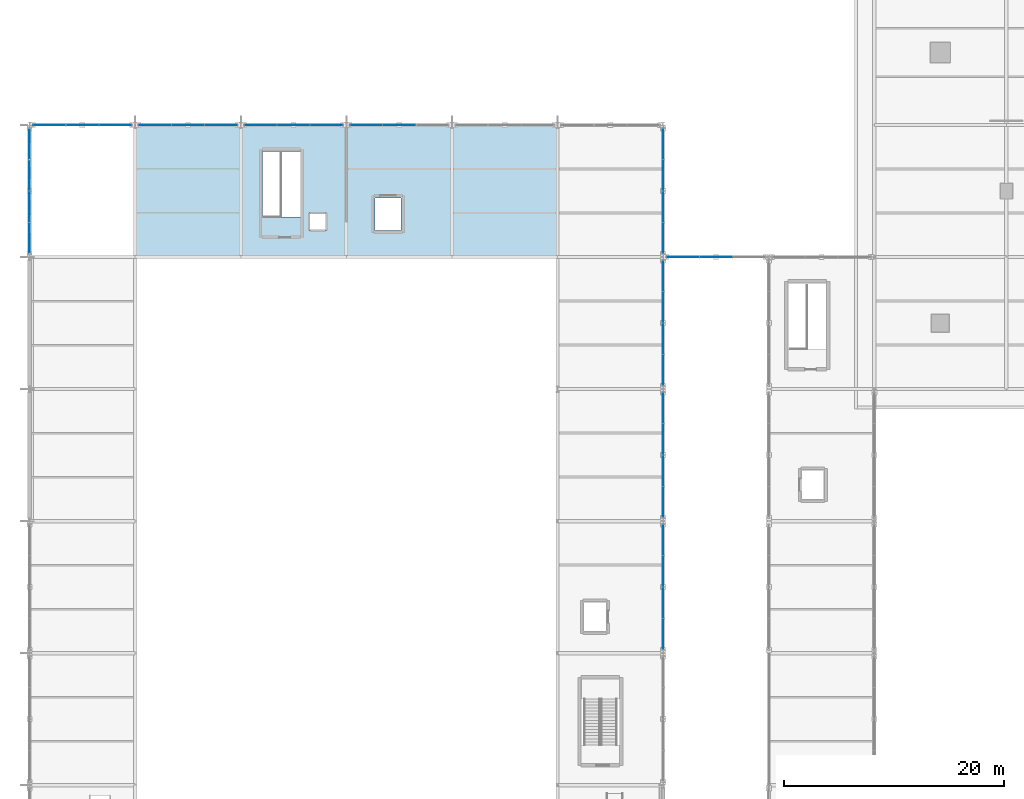
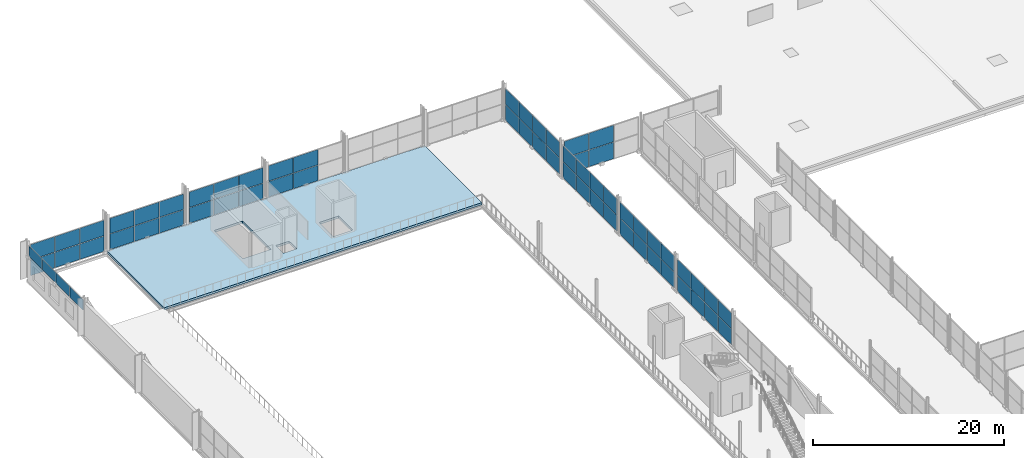
# One storey, part 123 of 159: 62 plates, 1 slab, 10 elements without a shape of their own.
"""IFC4 building model written with IfcOpenShell, lengths in metres."""

from ifc_helpers import new_model, si_unit, direction, frame, origin, origin_2d, place, context, subcontext, project, spatial, polyline, rectangle, outline, extrude, material, layer, layer_set, type_object, element, aggregate, save


model = new_model("IFC4")

# Units and contexts
model_context = context("Model", 3, precision=1e-05, world=origin(), true_north=direction((0.0, 1.0)))
body_context = subcontext(model_context, "Body", "Model", "MODEL_VIEW")
ifc_project = project(units=[si_unit("LENGTHUNIT", "METRE"), si_unit("AREAUNIT", "SQUARE_METRE"), si_unit("VOLUMEUNIT", "CUBIC_METRE"), si_unit("PLANEANGLEUNIT", "RADIAN"), si_unit("MASSUNIT", "GRAM", prefix="KILO")], contexts=[model_context])

# Site, building, storey
site_placement = place(None, origin())
site = spatial("IfcSite", under=ifc_project, at=site_placement, CompositionType="ELEMENT")
building_placement = place(site_placement, origin())
building = spatial("IfcBuilding", under=site, at=building_placement, Name="Merenkruunu Market Hall", CompositionType="ELEMENT")
storey_placement = place(building_placement, frame((0.0, 0.0, 5.39990234375)))
storey = spatial("IfcBuildingStorey", under=building, at=storey_placement, Name="L01", CompositionType="ELEMENT", Elevation=5.39990234375)

# Curtain wall, plates
ifc_material_1 = material(Name="Powder-coated aluminium", Category="aluminium")
curtain_wall_type_1 = type_object("IfcCurtainWallType", Name="Glazed Curtain Wall CW03", PredefinedType="USERDEFINED", material=ifc_material_1)
curtain_wall_1_placement = place(storey_placement, origin())
curtain_wall_1 = element("IfcCurtainWall", 1, at=curtain_wall_1_placement, inside=storey, type_object=curtain_wall_type_1, Name="CW-L01-CWM03-143", ObjectType="GLAZED_FACADE", PredefinedType="USERDEFINED")
ifc_material_2 = material(Name="Triple low-E insulated glass", Category="glass")
ifc_layer_1 = layer(ifc_material_2, 0.035888671875)
ifc_layer_set_1 = layer_set([ifc_layer_1], Name="Triple low-E insulated glass")
plate_type_1 = type_object("IfcPlateType", Name="Curtain Wall Glazing Panel CWP01", PredefinedType="CURTAIN_PANEL", material=ifc_layer_set_1)
plate_1_placement = place(storey_placement, frame((59.401611328125, 99.60009765625, 0.06005859375), z_axis=(0.0, 0.0, 1.0), x_axis=(1.0, 0.0, 0.0)))
plate_1 = element("IfcPlate", 2, at=plate_1_placement, type_object=plate_type_1, Name="CW03 panel 1.1", PredefinedType="CURTAIN_PANEL", context=body_context, shape_type="SweptSolid", body=[
    extrude(rectangle(XDim=2.92333984375, YDim=0.035888671875, at=origin_2d()), origin(), (0.0, 0.0, 1.0), 2.110107421875),
])
plate_2_placement = place(storey_placement, frame((59.401611328125, 99.60009765625, 2.22998046875), z_axis=(0.0, 0.0, 1.0), x_axis=(1.0, 0.0, 0.0)))
plate_2 = element("IfcPlate", 3, at=plate_2_placement, type_object=plate_type_1, Name="CW03 panel 1.2", PredefinedType="CURTAIN_PANEL", context=body_context, shape_type="SweptSolid", body=[
    extrude(rectangle(XDim=2.92333984375, YDim=0.035888671875, at=origin_2d()), origin(), (0.0, 0.0, 1.0), 2.110107421875),
])
plate_3_placement = place(storey_placement, frame((62.39990234375, 99.60009765625, 0.06005859375), z_axis=(0.0, 0.0, 1.0), x_axis=(1.0, 0.0, 0.0)))
plate_3 = element("IfcPlate", 4, at=plate_3_placement, type_object=plate_type_1, Name="CW03 panel 2.1", PredefinedType="CURTAIN_PANEL", context=body_context, shape_type="SweptSolid", body=[
    extrude(rectangle(XDim=2.953369140625, YDim=0.035888671875, at=origin_2d()), origin(), (0.0, 0.0, 1.0), 2.110107421875),
])
plate_4_placement = place(storey_placement, frame((62.39990234375, 99.60009765625, 2.22998046875), z_axis=(0.0, 0.0, 1.0), x_axis=(1.0, 0.0, 0.0)))
plate_4 = element("IfcPlate", 5, at=plate_4_placement, type_object=plate_type_1, Name="CW03 panel 2.2", PredefinedType="CURTAIN_PANEL", context=body_context, shape_type="SweptSolid", body=[
    extrude(rectangle(XDim=2.953369140625, YDim=0.035888671875, at=origin_2d()), origin(), (0.0, 0.0, 1.0), 2.110107421875),
])
aggregate(curtain_wall_1, [plate_1, plate_2, plate_3, plate_4])

curtain_wall_type_2 = type_object("IfcCurtainWallType", Name="Glazed Curtain Wall CW09", PredefinedType="USERDEFINED", material=ifc_material_1)
curtain_wall_2_placement = place(storey_placement, origin())
curtain_wall_2 = element("IfcCurtainWall", 6, at=curtain_wall_2_placement, inside=storey, type_object=curtain_wall_type_2, Name="CW-L01-CWM02-052", ObjectType="GLAZED_FACADE", PredefinedType="USERDEFINED")
ifc_layer_2 = layer(ifc_material_2, 0.035888671875)
ifc_layer_set_2 = layer_set([ifc_layer_2], Name="Triple low-E insulated glass")
plate_type_2 = type_object("IfcPlateType", Name="Curtain Wall Glazing Panel CWP02", PredefinedType="CURTAIN_PANEL", material=ifc_layer_set_2)
plate_5_placement = place(storey_placement, frame((1.8017578125, 111.60009765625, 0.06005859375), z_axis=(0.0, 0.0, 1.0), x_axis=(1.0, 0.0, 0.0)))
plate_5 = element("IfcPlate", 7, at=plate_5_placement, type_object=plate_type_2, Name="CW09 panel 1.1", PredefinedType="CURTAIN_PANEL", context=body_context, shape_type="SweptSolid", body=[
    extrude(rectangle(XDim=2.92333984375, YDim=0.035888671875, at=origin_2d()), origin(), (0.0, 0.0, 1.0), 1.9599609375),
])
plate_6_placement = place(storey_placement, frame((1.8017578125, 111.60009765625, 2.080078125), z_axis=(0.0, 0.0, 1.0), x_axis=(1.0, 0.0, 0.0)))
plate_6 = element("IfcPlate", 8, at=plate_6_placement, type_object=plate_type_2, Name="CW09 panel 1.2", PredefinedType="CURTAIN_PANEL", context=body_context, shape_type="SweptSolid", body=[
    extrude(rectangle(XDim=2.92333984375, YDim=0.035888671875, at=origin_2d()), origin(), (0.0, 0.0, 1.0), 1.9599609375),
])
plate_7_placement = place(storey_placement, frame((4.800048828125, 111.60009765625, 0.06005859375), z_axis=(0.0, 0.0, 1.0), x_axis=(1.0, 0.0, 0.0)))
plate_7 = element("IfcPlate", 9, at=plate_7_placement, type_object=plate_type_2, Name="CW09 panel 2.1", PredefinedType="CURTAIN_PANEL", context=body_context, shape_type="SweptSolid", body=[
    extrude(rectangle(XDim=2.953369140625, YDim=0.035888671875, at=origin_2d()), origin(), (0.0, 0.0, 1.0), 1.9599609375),
])
plate_8_placement = place(storey_placement, frame((4.800048828125, 111.60009765625, 2.080078125), z_axis=(0.0, 0.0, 1.0), x_axis=(1.0, 0.0, 0.0)))
plate_8 = element("IfcPlate", 10, at=plate_8_placement, type_object=plate_type_2, Name="CW09 panel 2.2", PredefinedType="CURTAIN_PANEL", context=body_context, shape_type="SweptSolid", body=[
    extrude(rectangle(XDim=2.953369140625, YDim=0.035888671875, at=origin_2d()), origin(), (0.0, 0.0, 1.0), 1.9599609375),
])
plate_9_placement = place(storey_placement, frame((7.79833984375, 111.60009765625, 0.06005859375), z_axis=(0.0, 0.0, 1.0), x_axis=(1.0, 0.0, 0.0)))
plate_9 = element("IfcPlate", 11, at=plate_9_placement, type_object=plate_type_2, Name="CW09 panel 3.1", PredefinedType="CURTAIN_PANEL", context=body_context, shape_type="SweptSolid", body=[
    extrude(rectangle(XDim=2.92333984375, YDim=0.035888671875, at=origin_2d()), origin(), (0.0, 0.0, 1.0), 1.9599609375),
])
plate_10_placement = place(storey_placement, frame((7.79833984375, 111.60009765625, 2.080078125), z_axis=(0.0, 0.0, 1.0), x_axis=(1.0, 0.0, 0.0)))
plate_10 = element("IfcPlate", 12, at=plate_10_placement, type_object=plate_type_2, Name="CW09 panel 3.2", PredefinedType="CURTAIN_PANEL", context=body_context, shape_type="SweptSolid", body=[
    extrude(rectangle(XDim=2.92333984375, YDim=0.035888671875, at=origin_2d()), origin(), (0.0, 0.0, 1.0), 1.9599609375),
])
aggregate(curtain_wall_2, [plate_5, plate_6, plate_7, plate_8, plate_9, plate_10])

curtain_wall_3_placement = place(storey_placement, origin())
curtain_wall_3 = element("IfcCurtainWall", 13, at=curtain_wall_3_placement, inside=storey, type_object=curtain_wall_type_2, Name="CW-L01-CWM02-054", ObjectType="GLAZED_FACADE", PredefinedType="USERDEFINED")
plate_11_placement = place(storey_placement, frame((11.401611328125, 111.60009765625, 0.06005859375), z_axis=(0.0, 0.0, 1.0), x_axis=(1.0, 0.0, 0.0)))
plate_11 = element("IfcPlate", 14, at=plate_11_placement, type_object=plate_type_2, Name="CW09 panel 1.1", PredefinedType="CURTAIN_PANEL", context=body_context, shape_type="SweptSolid", body=[
    extrude(rectangle(XDim=2.92333984375, YDim=0.035888671875, at=origin_2d()), origin(), (0.0, 0.0, 1.0), 1.9599609375),
])
plate_12_placement = place(storey_placement, frame((11.401611328125, 111.60009765625, 2.080078125), z_axis=(0.0, 0.0, 1.0), x_axis=(1.0, 0.0, 0.0)))
plate_12 = element("IfcPlate", 15, at=plate_12_placement, type_object=plate_type_2, Name="CW09 panel 1.2", PredefinedType="CURTAIN_PANEL", context=body_context, shape_type="SweptSolid", body=[
    extrude(rectangle(XDim=2.92333984375, YDim=0.035888671875, at=origin_2d()), origin(), (0.0, 0.0, 1.0), 1.9599609375),
])
plate_13_placement = place(storey_placement, frame((14.39990234375, 111.60009765625, 0.06005859375), z_axis=(0.0, 0.0, 1.0), x_axis=(1.0, 0.0, 0.0)))
plate_13 = element("IfcPlate", 16, at=plate_13_placement, type_object=plate_type_2, Name="CW09 panel 2.1", PredefinedType="CURTAIN_PANEL", context=body_context, shape_type="SweptSolid", body=[
    extrude(rectangle(XDim=2.953369140625, YDim=0.035888671875, at=origin_2d()), origin(), (0.0, 0.0, 1.0), 1.9599609375),
])
plate_14_placement = place(storey_placement, frame((14.39990234375, 111.60009765625, 2.080078125), z_axis=(0.0, 0.0, 1.0), x_axis=(1.0, 0.0, 0.0)))
plate_14 = element("IfcPlate", 17, at=plate_14_placement, type_object=plate_type_2, Name="CW09 panel 2.2", PredefinedType="CURTAIN_PANEL", context=body_context, shape_type="SweptSolid", body=[
    extrude(rectangle(XDim=2.953369140625, YDim=0.035888671875, at=origin_2d()), origin(), (0.0, 0.0, 1.0), 1.9599609375),
])
plate_15_placement = place(storey_placement, frame((17.3984375, 111.60009765625, 0.06005859375), z_axis=(0.0, 0.0, 1.0), x_axis=(1.0, 0.0, 0.0)))
plate_15 = element("IfcPlate", 18, at=plate_15_placement, type_object=plate_type_2, Name="CW09 panel 3.1", PredefinedType="CURTAIN_PANEL", context=body_context, shape_type="SweptSolid", body=[
    extrude(rectangle(XDim=2.92333984375, YDim=0.035888671875, at=origin_2d()), origin(), (0.0, 0.0, 1.0), 1.9599609375),
])
plate_16_placement = place(storey_placement, frame((17.3984375, 111.60009765625, 2.080078125), z_axis=(0.0, 0.0, 1.0), x_axis=(1.0, 0.0, 0.0)))
plate_16 = element("IfcPlate", 19, at=plate_16_placement, type_object=plate_type_2, Name="CW09 panel 3.2", PredefinedType="CURTAIN_PANEL", context=body_context, shape_type="SweptSolid", body=[
    extrude(rectangle(XDim=2.92333984375, YDim=0.035888671875, at=origin_2d()), origin(), (0.0, 0.0, 1.0), 1.9599609375),
])
aggregate(curtain_wall_3, [plate_11, plate_12, plate_13, plate_14, plate_15, plate_16])

curtain_wall_4_placement = place(storey_placement, origin())
curtain_wall_4 = element("IfcCurtainWall", 20, at=curtain_wall_4_placement, inside=storey, type_object=curtain_wall_type_2, Name="CW-L01-CWM02-057", ObjectType="GLAZED_FACADE", PredefinedType="USERDEFINED")
plate_17_placement = place(storey_placement, frame((21.001708984375, 111.60009765625, 0.06005859375), z_axis=(0.0, 0.0, 1.0), x_axis=(1.0, 0.0, 0.0)))
plate_17 = element("IfcPlate", 21, at=plate_17_placement, type_object=plate_type_2, Name="CW09 panel 1.1", PredefinedType="CURTAIN_PANEL", context=body_context, shape_type="SweptSolid", body=[
    extrude(rectangle(XDim=2.92333984375, YDim=0.035888671875, at=origin_2d()), origin(), (0.0, 0.0, 1.0), 1.9599609375),
])
plate_18_placement = place(storey_placement, frame((21.001708984375, 111.60009765625, 2.080078125), z_axis=(0.0, 0.0, 1.0), x_axis=(1.0, 0.0, 0.0)))
plate_18 = element("IfcPlate", 22, at=plate_18_placement, type_object=plate_type_2, Name="CW09 panel 1.2", PredefinedType="CURTAIN_PANEL", context=body_context, shape_type="SweptSolid", body=[
    extrude(rectangle(XDim=2.92333984375, YDim=0.035888671875, at=origin_2d()), origin(), (0.0, 0.0, 1.0), 1.9599609375),
])
plate_19_placement = place(storey_placement, frame((24.0, 111.60009765625, 0.06005859375), z_axis=(0.0, 0.0, 1.0), x_axis=(1.0, 0.0, 0.0)))
plate_19 = element("IfcPlate", 23, at=plate_19_placement, type_object=plate_type_2, Name="CW09 panel 2.1", PredefinedType="CURTAIN_PANEL", context=body_context, shape_type="SweptSolid", body=[
    extrude(rectangle(XDim=2.953369140625, YDim=0.035888671875, at=origin_2d()), origin(), (0.0, 0.0, 1.0), 1.9599609375),
])
plate_20_placement = place(storey_placement, frame((24.0, 111.60009765625, 2.080078125), z_axis=(0.0, 0.0, 1.0), x_axis=(1.0, 0.0, 0.0)))
plate_20 = element("IfcPlate", 24, at=plate_20_placement, type_object=plate_type_2, Name="CW09 panel 2.2", PredefinedType="CURTAIN_PANEL", context=body_context, shape_type="SweptSolid", body=[
    extrude(rectangle(XDim=2.953369140625, YDim=0.035888671875, at=origin_2d()), origin(), (0.0, 0.0, 1.0), 1.9599609375),
])
plate_21_placement = place(storey_placement, frame((26.998291015625, 111.60009765625, 0.06005859375), z_axis=(0.0, 0.0, 1.0), x_axis=(1.0, 0.0, 0.0)))
plate_21 = element("IfcPlate", 25, at=plate_21_placement, type_object=plate_type_2, Name="CW09 panel 3.1", PredefinedType="CURTAIN_PANEL", context=body_context, shape_type="SweptSolid", body=[
    extrude(rectangle(XDim=2.92333984375, YDim=0.035888671875, at=origin_2d()), origin(), (0.0, 0.0, 1.0), 1.9599609375),
])
plate_22_placement = place(storey_placement, frame((26.998291015625, 111.60009765625, 2.080078125), z_axis=(0.0, 0.0, 1.0), x_axis=(1.0, 0.0, 0.0)))
plate_22 = element("IfcPlate", 26, at=plate_22_placement, type_object=plate_type_2, Name="CW09 panel 3.2", PredefinedType="CURTAIN_PANEL", context=body_context, shape_type="SweptSolid", body=[
    extrude(rectangle(XDim=2.92333984375, YDim=0.035888671875, at=origin_2d()), origin(), (0.0, 0.0, 1.0), 1.9599609375),
])
aggregate(curtain_wall_4, [plate_17, plate_18, plate_19, plate_20, plate_21, plate_22])

curtain_wall_5_placement = place(storey_placement, origin())
curtain_wall_5 = element("IfcCurtainWall", 27, at=curtain_wall_5_placement, inside=storey, type_object=curtain_wall_type_2, Name="CW-L01-CWM02-060", ObjectType="GLAZED_FACADE", PredefinedType="USERDEFINED")
plate_23_placement = place(storey_placement, frame((30.6015625, 111.60009765625, 0.06005859375), z_axis=(0.0, 0.0, 1.0), x_axis=(1.0, 0.0, 0.0)))
plate_23 = element("IfcPlate", 28, at=plate_23_placement, type_object=plate_type_2, Name="CW09 panel 1.1", PredefinedType="CURTAIN_PANEL", context=body_context, shape_type="SweptSolid", body=[
    extrude(rectangle(XDim=2.92333984375, YDim=0.035888671875, at=origin_2d()), origin(), (0.0, 0.0, 1.0), 1.9599609375),
])
plate_24_placement = place(storey_placement, frame((30.6015625, 111.60009765625, 2.080078125), z_axis=(0.0, 0.0, 1.0), x_axis=(1.0, 0.0, 0.0)))
plate_24 = element("IfcPlate", 29, at=plate_24_placement, type_object=plate_type_2, Name="CW09 panel 1.2", PredefinedType="CURTAIN_PANEL", context=body_context, shape_type="SweptSolid", body=[
    extrude(rectangle(XDim=2.92333984375, YDim=0.035888671875, at=origin_2d()), origin(), (0.0, 0.0, 1.0), 1.9599609375),
])
plate_25_placement = place(storey_placement, frame((33.60009765625, 111.60009765625, 0.06005859375), z_axis=(0.0, 0.0, 1.0), x_axis=(1.0, 0.0, 0.0)))
plate_25 = element("IfcPlate", 30, at=plate_25_placement, type_object=plate_type_2, Name="CW09 panel 2.1", PredefinedType="CURTAIN_PANEL", context=body_context, shape_type="SweptSolid", body=[
    extrude(rectangle(XDim=2.953369140625, YDim=0.035888671875, at=origin_2d()), origin(), (0.0, 0.0, 1.0), 1.9599609375),
])
plate_26_placement = place(storey_placement, frame((33.60009765625, 111.60009765625, 2.080078125), z_axis=(0.0, 0.0, 1.0), x_axis=(1.0, 0.0, 0.0)))
plate_26 = element("IfcPlate", 31, at=plate_26_placement, type_object=plate_type_2, Name="CW09 panel 2.2", PredefinedType="CURTAIN_PANEL", context=body_context, shape_type="SweptSolid", body=[
    extrude(rectangle(XDim=2.953369140625, YDim=0.035888671875, at=origin_2d()), origin(), (0.0, 0.0, 1.0), 1.9599609375),
])
aggregate(curtain_wall_5, [plate_23, plate_24, plate_25, plate_26])

curtain_wall_type_3 = type_object("IfcCurtainWallType", Name="Glazed Curtain Wall CW05", PredefinedType="USERDEFINED", material=ifc_material_1)
curtain_wall_6_placement = place(storey_placement, origin())
curtain_wall_6 = element("IfcCurtainWall", 32, at=curtain_wall_6_placement, inside=storey, type_object=curtain_wall_type_3, Name="CW-L01-CWM01-137", ObjectType="GLAZED_FACADE", PredefinedType="USERDEFINED")
ifc_layer_3 = layer(ifc_material_2, 0.0380859375)
ifc_layer_set_3 = layer_set([ifc_layer_3], Name="Triple low-E insulated glass")
plate_type_3 = type_object("IfcPlateType", Name="Curtain Wall Glazing Panel CWP03", PredefinedType="CURTAIN_PANEL", material=ifc_layer_set_3)
plate_27_placement = place(storey_placement, frame((57.60009765625, 109.875, 0.06005859375), z_axis=(0.0, 0.0, 1.0), x_axis=(0.0, -1.0, 0.0)))
plate_27 = element("IfcPlate", 33, at=plate_27_placement, type_object=plate_type_3, Name="CW05 panel 1.1", PredefinedType="CURTAIN_PANEL", context=body_context, shape_type="SweptSolid", body=[
    extrude(rectangle(XDim=2.77001953125, YDim=0.0380859375, at=origin_2d()), origin(), (0.0, 0.0, 1.0), 2.010009765625),
])
plate_28_placement = place(storey_placement, frame((57.60009765625, 109.875, 2.1298828125), z_axis=(0.0, 0.0, 1.0), x_axis=(0.0, -1.0, 0.0)))
plate_28 = element("IfcPlate", 34, at=plate_28_placement, type_object=plate_type_3, Name="CW05 panel 1.2", PredefinedType="CURTAIN_PANEL", context=body_context, shape_type="SweptSolid", body=[
    extrude(rectangle(XDim=2.77001953125, YDim=0.0380859375, at=origin_2d()), origin(), (0.0, 0.0, 1.0), 2.010009765625),
])
plate_29_placement = place(storey_placement, frame((57.60009765625, 107.030029296875, 0.06005859375), z_axis=(0.0, 0.0, 1.0), x_axis=(0.0, -1.0, 0.0)))
plate_29 = element("IfcPlate", 35, at=plate_29_placement, type_object=plate_type_3, Name="CW05 panel 2.1", PredefinedType="CURTAIN_PANEL", context=body_context, shape_type="SweptSolid", body=[
    extrude(rectangle(XDim=2.800048828125, YDim=0.0380859375, at=origin_2d()), origin(), (0.0, 0.0, 1.0), 2.010009765625),
])
plate_30_placement = place(storey_placement, frame((57.60009765625, 107.030029296875, 2.1298828125), z_axis=(0.0, 0.0, 1.0), x_axis=(0.0, -1.0, 0.0)))
plate_30 = element("IfcPlate", 36, at=plate_30_placement, type_object=plate_type_3, Name="CW05 panel 2.2", PredefinedType="CURTAIN_PANEL", context=body_context, shape_type="SweptSolid", body=[
    extrude(rectangle(XDim=2.800048828125, YDim=0.0380859375, at=origin_2d()), origin(), (0.0, 0.0, 1.0), 2.010009765625),
])
plate_31_placement = place(storey_placement, frame((57.60009765625, 104.169921875, 0.06005859375), z_axis=(0.0, 0.0, 1.0), x_axis=(0.0, -1.0, 0.0)))
plate_31 = element("IfcPlate", 37, at=plate_31_placement, type_object=plate_type_3, Name="CW05 panel 3.1", PredefinedType="CURTAIN_PANEL", context=body_context, shape_type="SweptSolid", body=[
    extrude(rectangle(XDim=2.800048828125, YDim=0.0380859375, at=origin_2d()), origin(), (0.0, 0.0, 1.0), 2.010009765625),
])
plate_32_placement = place(storey_placement, frame((57.60009765625, 104.169921875, 2.1298828125), z_axis=(0.0, 0.0, 1.0), x_axis=(0.0, -1.0, 0.0)))
plate_32 = element("IfcPlate", 38, at=plate_32_placement, type_object=plate_type_3, Name="CW05 panel 3.2", PredefinedType="CURTAIN_PANEL", context=body_context, shape_type="SweptSolid", body=[
    extrude(rectangle(XDim=2.800048828125, YDim=0.0380859375, at=origin_2d()), origin(), (0.0, 0.0, 1.0), 2.010009765625),
])
plate_33_placement = place(storey_placement, frame((57.60009765625, 101.324951171875, 0.06005859375), z_axis=(0.0, 0.0, 1.0), x_axis=(0.0, -1.0, 0.0)))
plate_33 = element("IfcPlate", 39, at=plate_33_placement, type_object=plate_type_3, Name="CW05 panel 4.1", PredefinedType="CURTAIN_PANEL", context=body_context, shape_type="SweptSolid", body=[
    extrude(rectangle(XDim=2.77001953125, YDim=0.0380859375, at=origin_2d()), origin(), (0.0, 0.0, 1.0), 2.010009765625),
])
plate_34_placement = place(storey_placement, frame((57.60009765625, 101.324951171875, 2.1298828125), z_axis=(0.0, 0.0, 1.0), x_axis=(0.0, -1.0, 0.0)))
plate_34 = element("IfcPlate", 40, at=plate_34_placement, type_object=plate_type_3, Name="CW05 panel 4.2", PredefinedType="CURTAIN_PANEL", context=body_context, shape_type="SweptSolid", body=[
    extrude(rectangle(XDim=2.77001953125, YDim=0.0380859375, at=origin_2d()), origin(), (0.0, 0.0, 1.0), 2.010009765625),
])
aggregate(curtain_wall_6, [plate_27, plate_28, plate_29, plate_30, plate_31, plate_32, plate_33, plate_34])

curtain_wall_type_4 = type_object("IfcCurtainWallType", Name="Clerestory Curtain Band CL01", PredefinedType="USERDEFINED", material=ifc_material_1)
curtain_wall_7_placement = place(storey_placement, origin())
curtain_wall_7 = element("IfcCurtainWall", 41, at=curtain_wall_7_placement, inside=storey, type_object=curtain_wall_type_4, Name="CW-L01-CWM04-017", ObjectType="CLERESTORY_BAND", PredefinedType="USERDEFINED")
ifc_layer_4 = layer(ifc_material_2, 0.035888671875)
ifc_layer_set_4 = layer_set([ifc_layer_4], Name="Triple low-E insulated glass")
plate_type_4 = type_object("IfcPlateType", Name="Curtain Wall Glazing Panel CWP07", PredefinedType="CURTAIN_PANEL", material=ifc_layer_set_4)
plate_35_placement = place(storey_placement, frame((0.0, 101.327392578125, 2.860107421875), z_axis=(0.0, 0.0, 1.0), x_axis=(0.0, 1.0, 0.0)))
plate_35 = element("IfcPlate", 42, at=plate_35_placement, type_object=plate_type_4, Name="CL01 panel 1.1", PredefinedType="CURTAIN_PANEL", context=body_context, shape_type="SweptSolid", body=[
    extrude(rectangle(XDim=2.7548828125, YDim=0.035888671875, at=origin_2d()), origin(), (0.0, 0.0, 1.0), 1.330078125),
])
plate_36_placement = place(storey_placement, frame((0.0, 104.169921875, 2.860107421875), z_axis=(0.0, 0.0, 1.0), x_axis=(0.0, 1.0, 0.0)))
plate_36 = element("IfcPlate", 43, at=plate_36_placement, type_object=plate_type_4, Name="CL01 panel 2.1", PredefinedType="CURTAIN_PANEL", context=body_context, shape_type="SweptSolid", body=[
    extrude(rectangle(XDim=2.7900390625, YDim=0.035888671875, at=origin_2d()), origin(), (0.0, 0.0, 1.0), 1.330078125),
])
plate_37_placement = place(storey_placement, frame((0.0, 107.030029296875, 2.860107421875), z_axis=(0.0, 0.0, 1.0), x_axis=(0.0, 1.0, 0.0)))
plate_37 = element("IfcPlate", 44, at=plate_37_placement, type_object=plate_type_4, Name="CL01 panel 3.1", PredefinedType="CURTAIN_PANEL", context=body_context, shape_type="SweptSolid", body=[
    extrude(rectangle(XDim=2.7900390625, YDim=0.035888671875, at=origin_2d()), origin(), (0.0, 0.0, 1.0), 1.330078125),
])
plate_38_placement = place(storey_placement, frame((0.0, 109.87255859375, 2.860107421875), z_axis=(0.0, 0.0, 1.0), x_axis=(0.0, 1.0, 0.0)))
plate_38 = element("IfcPlate", 45, at=plate_38_placement, type_object=plate_type_4, Name="CL01 panel 4.1", PredefinedType="CURTAIN_PANEL", context=body_context, shape_type="SweptSolid", body=[
    extrude(rectangle(XDim=2.7548828125, YDim=0.035888671875, at=origin_2d()), origin(), (0.0, 0.0, 1.0), 1.330078125),
])
aggregate(curtain_wall_7, [plate_35, plate_36, plate_37, plate_38])

curtain_wall_type_5 = type_object("IfcCurtainWallType", Name="Glazed Curtain Wall CW15", PredefinedType="USERDEFINED", material=ifc_material_1)
curtain_wall_8_placement = place(storey_placement, origin())
curtain_wall_8 = element("IfcCurtainWall", 46, at=curtain_wall_8_placement, inside=storey, type_object=curtain_wall_type_5, Name="CW-L01-CWM01-131", ObjectType="GLAZED_FACADE", PredefinedType="USERDEFINED")
ifc_layer_5 = layer(ifc_material_2, 0.035888671875)
ifc_layer_set_5 = layer_set([ifc_layer_5], Name="Triple low-E insulated glass")
plate_type_5 = type_object("IfcPlateType", Name="Curtain Wall Glazing Panel CWP09", PredefinedType="CURTAIN_PANEL", material=ifc_layer_set_5)
plate_39_placement = place(storey_placement, frame((57.60009765625, 65.324951171875, 0.06005859375), z_axis=(0.0, 0.0, 1.0), x_axis=(0.0, 1.0, 0.0)))
plate_39 = element("IfcPlate", 47, at=plate_39_placement, type_object=plate_type_5, Name="CW15 panel 1.1", PredefinedType="CURTAIN_PANEL", context=body_context, shape_type="SweptSolid", body=[
    extrude(rectangle(XDim=2.77001953125, YDim=0.035888671875, at=origin_2d()), origin(), (0.0, 0.0, 1.0), 2.010009765625),
])
plate_40_placement = place(storey_placement, frame((57.60009765625, 65.324951171875, 2.1298828125), z_axis=(0.0, 0.0, 1.0), x_axis=(0.0, 1.0, 0.0)))
plate_40 = element("IfcPlate", 48, at=plate_40_placement, type_object=plate_type_5, Name="CW15 panel 1.2", PredefinedType="CURTAIN_PANEL", context=body_context, shape_type="SweptSolid", body=[
    extrude(rectangle(XDim=2.77001953125, YDim=0.035888671875, at=origin_2d()), origin(), (0.0, 0.0, 1.0), 2.010009765625),
])
plate_41_placement = place(storey_placement, frame((57.60009765625, 68.169921875, 0.06005859375), z_axis=(0.0, 0.0, 1.0), x_axis=(0.0, 1.0, 0.0)))
plate_41 = element("IfcPlate", 49, at=plate_41_placement, type_object=plate_type_5, Name="CW15 panel 2.1", PredefinedType="CURTAIN_PANEL", context=body_context, shape_type="SweptSolid", body=[
    extrude(rectangle(XDim=2.800048828125, YDim=0.035888671875, at=origin_2d()), origin(), (0.0, 0.0, 1.0), 2.010009765625),
])
plate_42_placement = place(storey_placement, frame((57.60009765625, 68.169921875, 2.1298828125), z_axis=(0.0, 0.0, 1.0), x_axis=(0.0, 1.0, 0.0)))
plate_42 = element("IfcPlate", 50, at=plate_42_placement, type_object=plate_type_5, Name="CW15 panel 2.2", PredefinedType="CURTAIN_PANEL", context=body_context, shape_type="SweptSolid", body=[
    extrude(rectangle(XDim=2.800048828125, YDim=0.035888671875, at=origin_2d()), origin(), (0.0, 0.0, 1.0), 2.010009765625),
])
plate_43_placement = place(storey_placement, frame((57.60009765625, 71.030029296875, 0.06005859375), z_axis=(0.0, 0.0, 1.0), x_axis=(0.0, 1.0, 0.0)))
plate_43 = element("IfcPlate", 51, at=plate_43_placement, type_object=plate_type_5, Name="CW15 panel 3.1", PredefinedType="CURTAIN_PANEL", context=body_context, shape_type="SweptSolid", body=[
    extrude(rectangle(XDim=2.800048828125, YDim=0.035888671875, at=origin_2d()), origin(), (0.0, 0.0, 1.0), 2.010009765625),
])
plate_44_placement = place(storey_placement, frame((57.60009765625, 71.030029296875, 2.1298828125), z_axis=(0.0, 0.0, 1.0), x_axis=(0.0, 1.0, 0.0)))
plate_44 = element("IfcPlate", 52, at=plate_44_placement, type_object=plate_type_5, Name="CW15 panel 3.2", PredefinedType="CURTAIN_PANEL", context=body_context, shape_type="SweptSolid", body=[
    extrude(rectangle(XDim=2.800048828125, YDim=0.035888671875, at=origin_2d()), origin(), (0.0, 0.0, 1.0), 2.010009765625),
])
plate_45_placement = place(storey_placement, frame((57.60009765625, 73.875, 0.06005859375), z_axis=(0.0, 0.0, 1.0), x_axis=(0.0, 1.0, 0.0)))
plate_45 = element("IfcPlate", 53, at=plate_45_placement, type_object=plate_type_5, Name="CW15 panel 4.1", PredefinedType="CURTAIN_PANEL", context=body_context, shape_type="SweptSolid", body=[
    extrude(rectangle(XDim=2.77001953125, YDim=0.035888671875, at=origin_2d()), origin(), (0.0, 0.0, 1.0), 2.010009765625),
])
plate_46_placement = place(storey_placement, frame((57.60009765625, 73.875, 2.1298828125), z_axis=(0.0, 0.0, 1.0), x_axis=(0.0, 1.0, 0.0)))
plate_46 = element("IfcPlate", 54, at=plate_46_placement, type_object=plate_type_5, Name="CW15 panel 4.2", PredefinedType="CURTAIN_PANEL", context=body_context, shape_type="SweptSolid", body=[
    extrude(rectangle(XDim=2.77001953125, YDim=0.035888671875, at=origin_2d()), origin(), (0.0, 0.0, 1.0), 2.010009765625),
])
aggregate(curtain_wall_8, [plate_39, plate_40, plate_41, plate_42, plate_43, plate_44, plate_45, plate_46])

curtain_wall_9_placement = place(storey_placement, origin())
curtain_wall_9 = element("IfcCurtainWall", 55, at=curtain_wall_9_placement, inside=storey, type_object=curtain_wall_type_5, Name="CW-L01-CWM01-134", ObjectType="GLAZED_FACADE", PredefinedType="USERDEFINED")
plate_47_placement = place(storey_placement, frame((57.60009765625, 77.324951171875, 0.06005859375), z_axis=(0.0, 0.0, 1.0), x_axis=(0.0, 1.0, 0.0)))
plate_47 = element("IfcPlate", 56, at=plate_47_placement, type_object=plate_type_5, Name="CW15 panel 1.1", PredefinedType="CURTAIN_PANEL", context=body_context, shape_type="SweptSolid", body=[
    extrude(rectangle(XDim=2.77001953125, YDim=0.035888671875, at=origin_2d()), origin(), (0.0, 0.0, 1.0), 2.010009765625),
])
plate_48_placement = place(storey_placement, frame((57.60009765625, 77.324951171875, 2.1298828125), z_axis=(0.0, 0.0, 1.0), x_axis=(0.0, 1.0, 0.0)))
plate_48 = element("IfcPlate", 57, at=plate_48_placement, type_object=plate_type_5, Name="CW15 panel 1.2", PredefinedType="CURTAIN_PANEL", context=body_context, shape_type="SweptSolid", body=[
    extrude(rectangle(XDim=2.77001953125, YDim=0.035888671875, at=origin_2d()), origin(), (0.0, 0.0, 1.0), 2.010009765625),
])
plate_49_placement = place(storey_placement, frame((57.60009765625, 80.169921875, 0.06005859375), z_axis=(0.0, 0.0, 1.0), x_axis=(0.0, 1.0, 0.0)))
plate_49 = element("IfcPlate", 58, at=plate_49_placement, type_object=plate_type_5, Name="CW15 panel 2.1", PredefinedType="CURTAIN_PANEL", context=body_context, shape_type="SweptSolid", body=[
    extrude(rectangle(XDim=2.800048828125, YDim=0.035888671875, at=origin_2d()), origin(), (0.0, 0.0, 1.0), 2.010009765625),
])
plate_50_placement = place(storey_placement, frame((57.60009765625, 80.169921875, 2.1298828125), z_axis=(0.0, 0.0, 1.0), x_axis=(0.0, 1.0, 0.0)))
plate_50 = element("IfcPlate", 59, at=plate_50_placement, type_object=plate_type_5, Name="CW15 panel 2.2", PredefinedType="CURTAIN_PANEL", context=body_context, shape_type="SweptSolid", body=[
    extrude(rectangle(XDim=2.800048828125, YDim=0.035888671875, at=origin_2d()), origin(), (0.0, 0.0, 1.0), 2.010009765625),
])
plate_51_placement = place(storey_placement, frame((57.60009765625, 83.030029296875, 0.06005859375), z_axis=(0.0, 0.0, 1.0), x_axis=(0.0, 1.0, 0.0)))
plate_51 = element("IfcPlate", 60, at=plate_51_placement, type_object=plate_type_5, Name="CW15 panel 3.1", PredefinedType="CURTAIN_PANEL", context=body_context, shape_type="SweptSolid", body=[
    extrude(rectangle(XDim=2.800048828125, YDim=0.035888671875, at=origin_2d()), origin(), (0.0, 0.0, 1.0), 2.010009765625),
])
plate_52_placement = place(storey_placement, frame((57.60009765625, 83.030029296875, 2.1298828125), z_axis=(0.0, 0.0, 1.0), x_axis=(0.0, 1.0, 0.0)))
plate_52 = element("IfcPlate", 61, at=plate_52_placement, type_object=plate_type_5, Name="CW15 panel 3.2", PredefinedType="CURTAIN_PANEL", context=body_context, shape_type="SweptSolid", body=[
    extrude(rectangle(XDim=2.800048828125, YDim=0.035888671875, at=origin_2d()), origin(), (0.0, 0.0, 1.0), 2.010009765625),
])
plate_53_placement = place(storey_placement, frame((57.60009765625, 85.875, 0.06005859375), z_axis=(0.0, 0.0, 1.0), x_axis=(0.0, 1.0, 0.0)))
plate_53 = element("IfcPlate", 62, at=plate_53_placement, type_object=plate_type_5, Name="CW15 panel 4.1", PredefinedType="CURTAIN_PANEL", context=body_context, shape_type="SweptSolid", body=[
    extrude(rectangle(XDim=2.77001953125, YDim=0.035888671875, at=origin_2d()), origin(), (0.0, 0.0, 1.0), 2.010009765625),
])
plate_54_placement = place(storey_placement, frame((57.60009765625, 85.875, 2.1298828125), z_axis=(0.0, 0.0, 1.0), x_axis=(0.0, 1.0, 0.0)))
plate_54 = element("IfcPlate", 63, at=plate_54_placement, type_object=plate_type_5, Name="CW15 panel 4.2", PredefinedType="CURTAIN_PANEL", context=body_context, shape_type="SweptSolid", body=[
    extrude(rectangle(XDim=2.77001953125, YDim=0.035888671875, at=origin_2d()), origin(), (0.0, 0.0, 1.0), 2.010009765625),
])
aggregate(curtain_wall_9, [plate_47, plate_48, plate_49, plate_50, plate_51, plate_52, plate_53, plate_54])

curtain_wall_10_placement = place(storey_placement, origin())
curtain_wall_10 = element("IfcCurtainWall", 64, at=curtain_wall_10_placement, inside=storey, type_object=curtain_wall_type_5, Name="CW-L01-CWM01-136", ObjectType="GLAZED_FACADE", PredefinedType="USERDEFINED")
plate_55_placement = place(storey_placement, frame((57.60009765625, 89.324951171875, 0.06005859375), z_axis=(0.0, 0.0, 1.0), x_axis=(0.0, 1.0, 0.0)))
plate_55 = element("IfcPlate", 65, at=plate_55_placement, type_object=plate_type_5, Name="CW15 panel 1.1", PredefinedType="CURTAIN_PANEL", context=body_context, shape_type="SweptSolid", body=[
    extrude(rectangle(XDim=2.77001953125, YDim=0.035888671875, at=origin_2d()), origin(), (0.0, 0.0, 1.0), 2.010009765625),
])
plate_56_placement = place(storey_placement, frame((57.60009765625, 89.324951171875, 2.1298828125), z_axis=(0.0, 0.0, 1.0), x_axis=(0.0, 1.0, 0.0)))
plate_56 = element("IfcPlate", 66, at=plate_56_placement, type_object=plate_type_5, Name="CW15 panel 1.2", PredefinedType="CURTAIN_PANEL", context=body_context, shape_type="SweptSolid", body=[
    extrude(rectangle(XDim=2.77001953125, YDim=0.035888671875, at=origin_2d()), origin(), (0.0, 0.0, 1.0), 2.010009765625),
])
plate_57_placement = place(storey_placement, frame((57.60009765625, 92.169921875, 0.06005859375), z_axis=(0.0, 0.0, 1.0), x_axis=(0.0, 1.0, 0.0)))
plate_57 = element("IfcPlate", 67, at=plate_57_placement, type_object=plate_type_5, Name="CW15 panel 2.1", PredefinedType="CURTAIN_PANEL", context=body_context, shape_type="SweptSolid", body=[
    extrude(rectangle(XDim=2.800048828125, YDim=0.035888671875, at=origin_2d()), origin(), (0.0, 0.0, 1.0), 2.010009765625),
])
plate_58_placement = place(storey_placement, frame((57.60009765625, 92.169921875, 2.1298828125), z_axis=(0.0, 0.0, 1.0), x_axis=(0.0, 1.0, 0.0)))
plate_58 = element("IfcPlate", 68, at=plate_58_placement, type_object=plate_type_5, Name="CW15 panel 2.2", PredefinedType="CURTAIN_PANEL", context=body_context, shape_type="SweptSolid", body=[
    extrude(rectangle(XDim=2.800048828125, YDim=0.035888671875, at=origin_2d()), origin(), (0.0, 0.0, 1.0), 2.010009765625),
])
plate_59_placement = place(storey_placement, frame((57.60009765625, 95.030029296875, 0.06005859375), z_axis=(0.0, 0.0, 1.0), x_axis=(0.0, 1.0, 0.0)))
plate_59 = element("IfcPlate", 69, at=plate_59_placement, type_object=plate_type_5, Name="CW15 panel 3.1", PredefinedType="CURTAIN_PANEL", context=body_context, shape_type="SweptSolid", body=[
    extrude(rectangle(XDim=2.800048828125, YDim=0.035888671875, at=origin_2d()), origin(), (0.0, 0.0, 1.0), 2.010009765625),
])
plate_60_placement = place(storey_placement, frame((57.60009765625, 95.030029296875, 2.1298828125), z_axis=(0.0, 0.0, 1.0), x_axis=(0.0, 1.0, 0.0)))
plate_60 = element("IfcPlate", 70, at=plate_60_placement, type_object=plate_type_5, Name="CW15 panel 3.2", PredefinedType="CURTAIN_PANEL", context=body_context, shape_type="SweptSolid", body=[
    extrude(rectangle(XDim=2.800048828125, YDim=0.035888671875, at=origin_2d()), origin(), (0.0, 0.0, 1.0), 2.010009765625),
])
plate_61_placement = place(storey_placement, frame((57.60009765625, 97.875, 0.06005859375), z_axis=(0.0, 0.0, 1.0), x_axis=(0.0, 1.0, 0.0)))
plate_61 = element("IfcPlate", 71, at=plate_61_placement, type_object=plate_type_5, Name="CW15 panel 4.1", PredefinedType="CURTAIN_PANEL", context=body_context, shape_type="SweptSolid", body=[
    extrude(rectangle(XDim=2.77001953125, YDim=0.035888671875, at=origin_2d()), origin(), (0.0, 0.0, 1.0), 2.010009765625),
])
plate_62_placement = place(storey_placement, frame((57.60009765625, 97.875, 2.1298828125), z_axis=(0.0, 0.0, 1.0), x_axis=(0.0, 1.0, 0.0)))
plate_62 = element("IfcPlate", 72, at=plate_62_placement, type_object=plate_type_5, Name="CW15 panel 4.2", PredefinedType="CURTAIN_PANEL", context=body_context, shape_type="SweptSolid", body=[
    extrude(rectangle(XDim=2.77001953125, YDim=0.035888671875, at=origin_2d()), origin(), (0.0, 0.0, 1.0), 2.010009765625),
])
aggregate(curtain_wall_10, [plate_55, plate_56, plate_57, plate_58, plate_59, plate_60, plate_61, plate_62])

# Slab
ifc_material_3 = material(Name="Concrete C35/45", Category="concrete")
ifc_layer_6 = layer(ifc_material_3, 0.280029296875)
ifc_layer_set_6 = layer_set([ifc_layer_6], Name="Concrete C35/45")
slab_type = type_object("IfcSlabType", Name="Suspended Floor Slab FS03", PredefinedType="FLOOR", material=ifc_layer_set_6)
slab_placement = place(storey_placement, frame((0.0, 0.0, -0.27978515625)))
element("IfcSlab", 73, at=slab_placement, inside=storey, type_object=slab_type, Name="SL-L01-V1N", PredefinedType="FLOOR", context=body_context, shape_type="SweptSolid", body=[
    extrude(outline(polyline([(9.60009765625, 99.60009765625), (48.0, 99.60009765625), (48.0, 111.60009765625), (9.60009765625, 111.60009765625), (9.60009765625, 99.60009765625)]), holes=[polyline([(21.18994140625, 103.260009765625), (24.610107421875, 103.260009765625), (24.610107421875, 109.2099609375), (21.18994140625, 109.2099609375), (21.18994140625, 103.260009765625)]), polyline([(31.419921875, 102.02001953125), (33.780029296875, 102.02001953125), (33.780029296875, 104.97998046875), (31.419921875, 104.97998046875), (31.419921875, 102.02001953125)]), polyline([(25.39990234375, 102.0), (27.0, 102.0), (27.0, 103.60009765625), (25.39990234375, 103.60009765625), (25.39990234375, 102.0)])]), origin(), (0.0, 0.0, 1.0), 0.27978515625),
])

save(model, "model.ifc")
